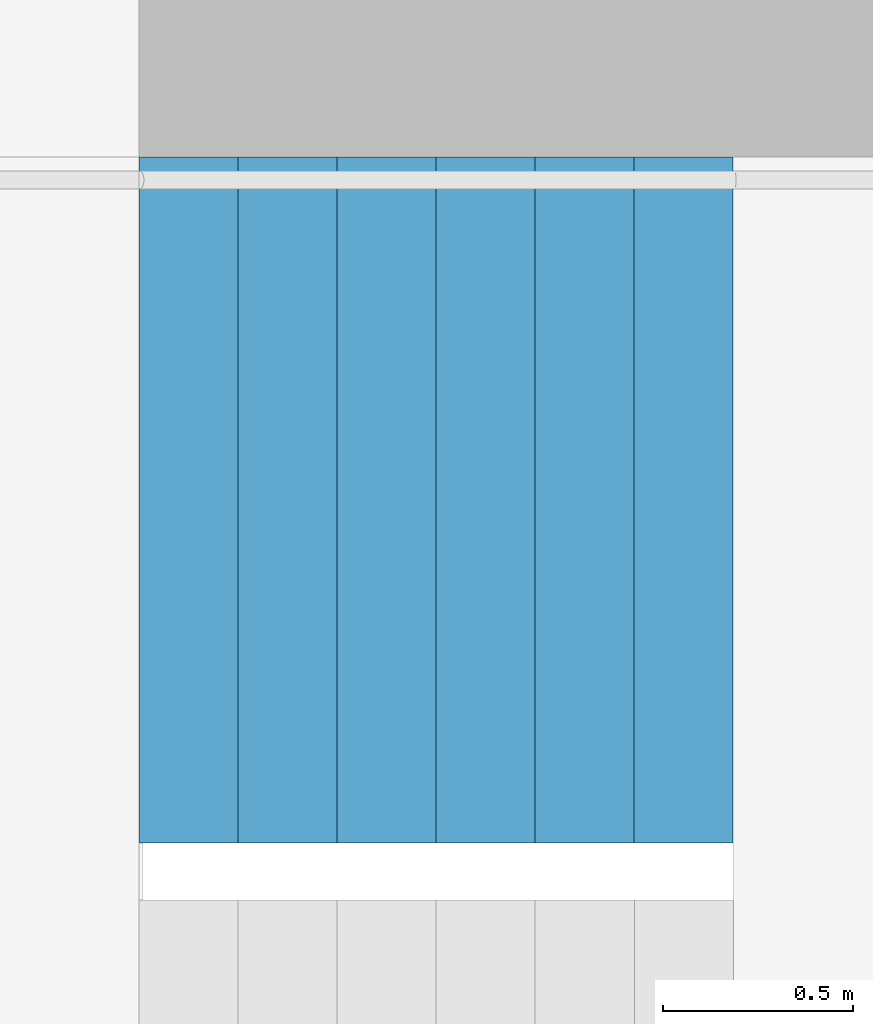
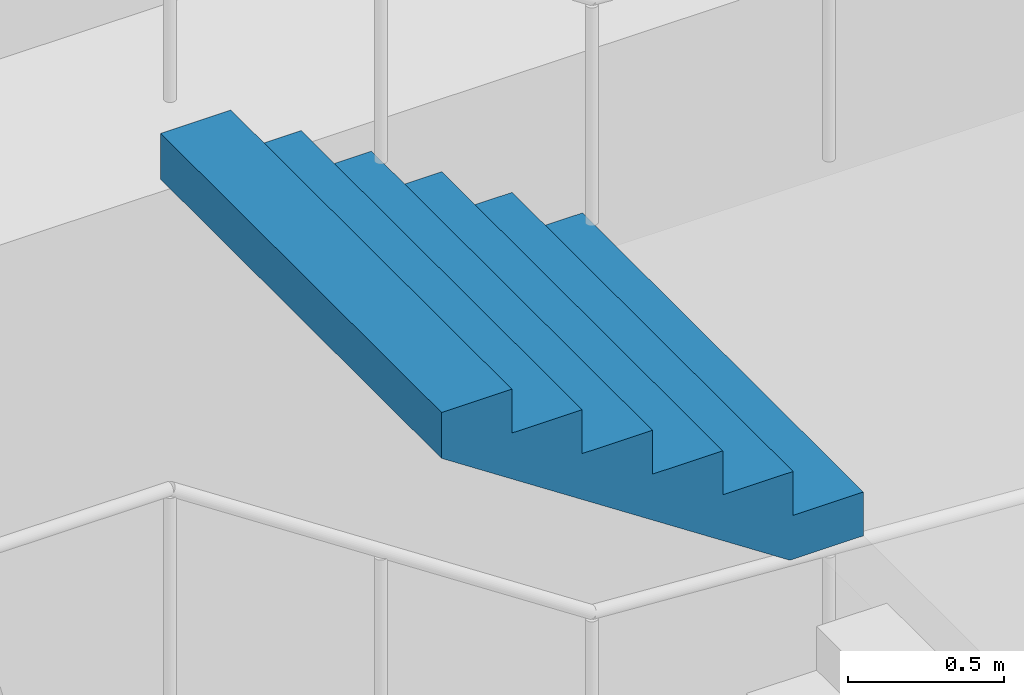
# One storey, part 34 of 53: 1 stair flight, 1 element without a shape of its own.
"""IFC4 building model written with IfcOpenShell, lengths in metres."""

from ifc_helpers import new_model, si_unit, direction, frame, origin, place, context, subcontext, project, spatial, triangles, material, type_object, element, aggregate, save


model = new_model("IFC4")

# Units and contexts
model_context = context("Model", 3, precision=1e-05, world=origin(), true_north=direction((0.0, 1.0)))
body_context = subcontext(model_context, "Body", "Model", "MODEL_VIEW")
ifc_project = project(units=[si_unit("LENGTHUNIT", "METRE"), si_unit("AREAUNIT", "SQUARE_METRE"), si_unit("VOLUMEUNIT", "CUBIC_METRE"), si_unit("PLANEANGLEUNIT", "RADIAN"), si_unit("MASSUNIT", "GRAM", prefix="KILO")], contexts=[model_context])

# Site, building, storey
site_placement = place(None, origin())
site = spatial("IfcSite", under=ifc_project, at=site_placement, CompositionType="ELEMENT")
building_placement = place(site_placement, origin())
building = spatial("IfcBuilding", under=site, at=building_placement, Name="Hakoniwa Tower and Hamabe Station Hall", CompositionType="ELEMENT")
storey_placement = place(building_placement, frame((0.0, 0.0, 15.0)))
storey = spatial("IfcBuildingStorey", under=building, at=storey_placement, Name="L03", CompositionType="ELEMENT", Elevation=15.0)

# Stair, stair flight
ifc_material_1 = material(Name="Concrete C40", Category="concrete")
stair_type = type_object("IfcStairType", Name="ESCAPE STAIR 1800", PredefinedType="HALF_TURN_STAIR", material=ifc_material_1)
stair_placement = place(storey_placement, origin())
stair = element("IfcStair", 1, at=stair_placement, inside=storey, type_object=stair_type, Name="Escape stair ST-1 L03", PredefinedType="HALF_TURN_STAIR")
ifc_material_2 = material(Name="Concrete C40", Category="concrete")
stair_flight_type = type_object("IfcStairFlightType", Name="STAIR FLIGHT 1800", PredefinedType="STRAIGHT", material=ifc_material_2)
stair_flight_placement = place(storey_placement, frame((-22.840087890625, 6.60009765625, 3.60009765625), z_axis=(0.0, 0.0, 1.0), x_axis=(-1.0, 0.0, 0.0)))
stair_flight = element("IfcStairFlight", 2, at=stair_flight_placement, type_object=stair_flight_type, Name="ST-1 flight 4", NumberOfRisers=7, NumberOfTreads=6, PredefinedType="STRAIGHT", RiserHeight=0.171428571, TreadLength=0.26, context=body_context, shape_type="Tessellation", body=[
    triangles([(0.0, 0.89990234375, 0.0), (0.260009765625, 0.89990234375, 0.0), (0.272216796875, 0.89990234375, 0.0), (0.52001953125, 0.89990234375, 0.163330078125), (0.780029296875, 0.89990234375, 0.334716796875), (1.0400390625, 0.89990234375, 0.506103515625), (1.300048828125, 0.89990234375, 0.677490234375), (1.56005859375, 0.89990234375, 0.84912109375), (1.56005859375, 0.89990234375, 1.028564453125), (1.300048828125, 0.89990234375, 1.028564453125), (1.300048828125, 0.89990234375, 0.857177734375), (1.0400390625, 0.89990234375, 0.857177734375), (1.0400390625, 0.89990234375, 0.685791015625), (0.780029296875, 0.89990234375, 0.685791015625), (0.780029296875, 0.89990234375, 0.514404296875), (0.52001953125, 0.89990234375, 0.514404296875), (0.52001953125, 0.89990234375, 0.3427734375), (0.272216796875, 0.89990234375, 0.3427734375), (0.260009765625, 0.89990234375, 0.3427734375), (0.260009765625, 0.89990234375, 0.17138671875), (0.0, 0.89990234375, 0.17138671875), (0.0, 0.06005859375, 0.0), (0.260009765625, 0.06005859375, 0.0), (0.272216796875, 0.06005859375, 0.0), (0.52001953125, 0.06005859375, 0.163330078125), (0.780029296875, 0.06005859375, 0.334716796875), (1.0400390625, 0.06005859375, 0.506103515625), (1.300048828125, 0.06005859375, 0.677490234375), (1.56005859375, 0.06005859375, 0.84912109375), (1.56005859375, 0.06005859375, 1.028564453125), (1.300048828125, 0.06005859375, 1.028564453125), (1.300048828125, 0.06005859375, 0.857177734375), (1.0400390625, 0.06005859375, 0.857177734375), (1.0400390625, 0.06005859375, 0.685791015625), (0.780029296875, 0.06005859375, 0.685791015625), (0.780029296875, 0.06005859375, 0.514404296875), (0.52001953125, 0.06005859375, 0.514404296875), (0.52001953125, 0.06005859375, 0.3427734375), (0.272216796875, 0.06005859375, 0.3427734375), (0.260009765625, 0.06005859375, 0.3427734375), (0.260009765625, 0.06005859375, 0.17138671875), (0.0, 0.06005859375, 0.17138671875), (0.0, 0.049072265625, 0.0), (0.260009765625, 0.049072265625, 0.0), (0.272216796875, 0.049072265625, 0.0), (0.52001953125, 0.049072265625, 0.163330078125), (0.780029296875, 0.049072265625, 0.334716796875), (1.0400390625, 0.049072265625, 0.506103515625), (1.300048828125, 0.049072265625, 0.677490234375), (1.56005859375, 0.049072265625, 0.84912109375), (1.56005859375, 0.049072265625, 1.028564453125), (1.300048828125, 0.049072265625, 1.028564453125), (1.300048828125, 0.049072265625, 0.857177734375), (1.0400390625, 0.049072265625, 0.857177734375), (1.0400390625, 0.049072265625, 0.685791015625), (0.780029296875, 0.049072265625, 0.685791015625), (0.780029296875, 0.049072265625, 0.514404296875), (0.52001953125, 0.049072265625, 0.514404296875), (0.52001953125, 0.049072265625, 0.3427734375), (0.272216796875, 0.049072265625, 0.3427734375), (0.260009765625, 0.049072265625, 0.3427734375), (0.260009765625, 0.049072265625, 0.17138671875), (0.0, 0.049072265625, 0.17138671875), (0.0, 0.0380859375, 0.0), (0.260009765625, 0.0380859375, 0.0), (0.272216796875, 0.0380859375, 0.0), (0.52001953125, 0.0380859375, 0.163330078125), (0.780029296875, 0.0380859375, 0.334716796875), (1.0400390625, 0.0380859375, 0.506103515625), (1.300048828125, 0.0380859375, 0.677490234375), (1.56005859375, 0.0380859375, 0.84912109375), (1.56005859375, 0.0380859375, 1.028564453125), (1.300048828125, 0.0380859375, 1.028564453125), (1.300048828125, 0.0380859375, 0.857177734375), (1.0400390625, 0.0380859375, 0.857177734375), (1.0400390625, 0.0380859375, 0.685791015625), (0.780029296875, 0.0380859375, 0.685791015625), (0.780029296875, 0.0380859375, 0.514404296875), (0.52001953125, 0.0380859375, 0.514404296875), (0.52001953125, 0.0380859375, 0.3427734375), (0.272216796875, 0.0380859375, 0.3427734375), (0.260009765625, 0.0380859375, 0.3427734375), (0.260009765625, 0.0380859375, 0.17138671875), (0.0, 0.0380859375, 0.17138671875), (0.0, 0.02734375, 0.0), (0.260009765625, 0.02734375, 0.0), (0.272216796875, 0.02734375, 0.0), (0.52001953125, 0.02734375, 0.163330078125), (0.780029296875, 0.02734375, 0.334716796875), (1.0400390625, 0.02734375, 0.506103515625), (1.300048828125, 0.02734375, 0.677490234375), (1.56005859375, 0.02734375, 0.84912109375), (1.56005859375, 0.02734375, 1.028564453125), (1.300048828125, 0.02734375, 1.028564453125), (1.300048828125, 0.02734375, 0.857177734375), (1.0400390625, 0.02734375, 0.857177734375), (1.0400390625, 0.02734375, 0.685791015625), (0.780029296875, 0.02734375, 0.685791015625), (0.780029296875, 0.02734375, 0.514404296875), (0.52001953125, 0.02734375, 0.514404296875), (0.52001953125, 0.02734375, 0.3427734375), (0.272216796875, 0.02734375, 0.3427734375), (0.260009765625, 0.02734375, 0.3427734375), (0.260009765625, 0.02734375, 0.17138671875), (0.0, 0.02734375, 0.17138671875), (0.0, 0.016357421875, 0.0), (0.260009765625, 0.016357421875, 0.0), (0.272216796875, 0.016357421875, 0.0), (0.52001953125, 0.016357421875, 0.163330078125), (0.780029296875, 0.016357421875, 0.334716796875), (1.0400390625, 0.016357421875, 0.506103515625), (1.300048828125, 0.016357421875, 0.677490234375), (1.56005859375, 0.016357421875, 0.84912109375), (1.56005859375, 0.016357421875, 1.028564453125), (1.300048828125, 0.016357421875, 1.028564453125), (1.300048828125, 0.016357421875, 0.857177734375), (1.0400390625, 0.016357421875, 0.857177734375), (1.0400390625, 0.016357421875, 0.685791015625), (0.780029296875, 0.016357421875, 0.685791015625), (0.780029296875, 0.016357421875, 0.514404296875), (0.52001953125, 0.016357421875, 0.514404296875), (0.52001953125, 0.016357421875, 0.3427734375), (0.272216796875, 0.016357421875, 0.3427734375), (0.260009765625, 0.016357421875, 0.3427734375), (0.260009765625, 0.016357421875, 0.17138671875), (0.0, 0.016357421875, 0.17138671875), (0.0, 0.00537109375, 0.0), (0.260009765625, 0.00537109375, 0.0), (0.272216796875, 0.00537109375, 0.0), (0.52001953125, 0.00537109375, 0.163330078125), (0.780029296875, 0.00537109375, 0.334716796875), (1.0400390625, 0.00537109375, 0.506103515625), (1.300048828125, 0.00537109375, 0.677490234375), (1.56005859375, 0.00537109375, 0.84912109375), (1.56005859375, 0.00537109375, 1.028564453125), (1.300048828125, 0.00537109375, 1.028564453125), (1.300048828125, 0.00537109375, 0.857177734375), (1.0400390625, 0.00537109375, 0.857177734375), (1.0400390625, 0.00537109375, 0.685791015625), (0.780029296875, 0.00537109375, 0.685791015625), (0.780029296875, 0.00537109375, 0.514404296875), (0.52001953125, 0.00537109375, 0.514404296875), (0.52001953125, 0.00537109375, 0.3427734375), (0.272216796875, 0.00537109375, 0.3427734375), (0.260009765625, 0.00537109375, 0.3427734375), (0.260009765625, 0.00537109375, 0.17138671875), (0.0, 0.00537109375, 0.17138671875), (0.0, -0.00537109375, 0.0), (0.260009765625, -0.00537109375, 0.0), (0.272216796875, -0.00537109375, 0.0), (0.52001953125, -0.00537109375, 0.163330078125), (0.780029296875, -0.00537109375, 0.334716796875), (1.0400390625, -0.00537109375, 0.506103515625), (1.300048828125, -0.00537109375, 0.677490234375), (1.56005859375, -0.00537109375, 0.84912109375), (1.56005859375, -0.00537109375, 1.028564453125), (1.300048828125, -0.00537109375, 1.028564453125), (1.300048828125, -0.00537109375, 0.857177734375), (1.0400390625, -0.00537109375, 0.857177734375), (1.0400390625, -0.00537109375, 0.685791015625), (0.780029296875, -0.00537109375, 0.685791015625), (0.780029296875, -0.00537109375, 0.514404296875), (0.52001953125, -0.00537109375, 0.514404296875), (0.52001953125, -0.00537109375, 0.3427734375), (0.272216796875, -0.00537109375, 0.3427734375), (0.260009765625, -0.00537109375, 0.3427734375), (0.260009765625, -0.00537109375, 0.17138671875), (0.0, -0.00537109375, 0.17138671875), (0.0, -0.016357421875, 0.0), (0.260009765625, -0.016357421875, 0.0), (0.272216796875, -0.016357421875, 0.0), (0.52001953125, -0.016357421875, 0.163330078125), (0.780029296875, -0.016357421875, 0.334716796875), (1.0400390625, -0.016357421875, 0.506103515625), (1.300048828125, -0.016357421875, 0.677490234375), (1.56005859375, -0.016357421875, 0.84912109375), (1.56005859375, -0.016357421875, 1.028564453125), (1.300048828125, -0.016357421875, 1.028564453125), (1.300048828125, -0.016357421875, 0.857177734375), (1.0400390625, -0.016357421875, 0.857177734375), (1.0400390625, -0.016357421875, 0.685791015625), (0.780029296875, -0.016357421875, 0.685791015625), (0.780029296875, -0.016357421875, 0.514404296875), (0.52001953125, -0.016357421875, 0.514404296875), (0.52001953125, -0.016357421875, 0.3427734375), (0.272216796875, -0.016357421875, 0.3427734375), (0.260009765625, -0.016357421875, 0.3427734375), (0.260009765625, -0.016357421875, 0.17138671875), (0.0, -0.016357421875, 0.17138671875), (0.0, -0.02734375, 0.0), (0.260009765625, -0.02734375, 0.0), (0.272216796875, -0.02734375, 0.0), (0.52001953125, -0.02734375, 0.163330078125), (0.780029296875, -0.02734375, 0.334716796875), (1.0400390625, -0.02734375, 0.506103515625), (1.300048828125, -0.02734375, 0.677490234375), (1.56005859375, -0.02734375, 0.84912109375), (1.56005859375, -0.02734375, 1.028564453125), (1.300048828125, -0.02734375, 1.028564453125), (1.300048828125, -0.02734375, 0.857177734375), (1.0400390625, -0.02734375, 0.857177734375), (1.0400390625, -0.02734375, 0.685791015625), (0.780029296875, -0.02734375, 0.685791015625), (0.780029296875, -0.02734375, 0.514404296875), (0.52001953125, -0.02734375, 0.514404296875), (0.52001953125, -0.02734375, 0.3427734375), (0.272216796875, -0.02734375, 0.3427734375), (0.260009765625, -0.02734375, 0.3427734375), (0.260009765625, -0.02734375, 0.17138671875), (0.0, -0.02734375, 0.17138671875), (0.0, -0.0380859375, 0.0), (0.260009765625, -0.0380859375, 0.0), (0.272216796875, -0.0380859375, 0.0), (0.52001953125, -0.0380859375, 0.163330078125), (0.780029296875, -0.0380859375, 0.334716796875), (1.0400390625, -0.0380859375, 0.506103515625), (1.300048828125, -0.0380859375, 0.677490234375), (1.56005859375, -0.0380859375, 0.84912109375), (1.56005859375, -0.0380859375, 1.028564453125), (1.300048828125, -0.0380859375, 1.028564453125), (1.300048828125, -0.0380859375, 0.857177734375), (1.0400390625, -0.0380859375, 0.857177734375), (1.0400390625, -0.0380859375, 0.685791015625), (0.780029296875, -0.0380859375, 0.685791015625), (0.780029296875, -0.0380859375, 0.514404296875), (0.52001953125, -0.0380859375, 0.514404296875), (0.52001953125, -0.0380859375, 0.3427734375), (0.272216796875, -0.0380859375, 0.3427734375), (0.260009765625, -0.0380859375, 0.3427734375), (0.260009765625, -0.0380859375, 0.17138671875), (0.0, -0.0380859375, 0.17138671875), (0.0, -0.049072265625, 0.0), (0.260009765625, -0.049072265625, 0.0), (0.272216796875, -0.049072265625, 0.0), (0.52001953125, -0.049072265625, 0.163330078125), (0.780029296875, -0.049072265625, 0.334716796875), (1.0400390625, -0.049072265625, 0.506103515625), (1.300048828125, -0.049072265625, 0.677490234375), (1.56005859375, -0.049072265625, 0.84912109375), (1.56005859375, -0.049072265625, 1.028564453125), (1.300048828125, -0.049072265625, 1.028564453125), (1.300048828125, -0.049072265625, 0.857177734375), (1.0400390625, -0.049072265625, 0.857177734375), (1.0400390625, -0.049072265625, 0.685791015625), (0.780029296875, -0.049072265625, 0.685791015625), (0.780029296875, -0.049072265625, 0.514404296875), (0.52001953125, -0.049072265625, 0.514404296875), (0.52001953125, -0.049072265625, 0.3427734375), (0.272216796875, -0.049072265625, 0.3427734375), (0.260009765625, -0.049072265625, 0.3427734375), (0.260009765625, -0.049072265625, 0.17138671875), (0.0, -0.049072265625, 0.17138671875), (0.0, -0.06005859375, 0.0), (0.260009765625, -0.06005859375, 0.0), (0.272216796875, -0.06005859375, 0.0), (0.52001953125, -0.06005859375, 0.163330078125), (0.780029296875, -0.06005859375, 0.334716796875), (1.0400390625, -0.06005859375, 0.506103515625), (1.300048828125, -0.06005859375, 0.677490234375), (1.56005859375, -0.06005859375, 0.84912109375), (1.56005859375, -0.06005859375, 1.028564453125), (1.300048828125, -0.06005859375, 1.028564453125), (1.300048828125, -0.06005859375, 0.857177734375), (1.0400390625, -0.06005859375, 0.857177734375), (1.0400390625, -0.06005859375, 0.685791015625), (0.780029296875, -0.06005859375, 0.685791015625), (0.780029296875, -0.06005859375, 0.514404296875), (0.52001953125, -0.06005859375, 0.514404296875), (0.52001953125, -0.06005859375, 0.3427734375), (0.272216796875, -0.06005859375, 0.3427734375), (0.260009765625, -0.06005859375, 0.3427734375), (0.260009765625, -0.06005859375, 0.17138671875), (0.0, -0.06005859375, 0.17138671875), (0.0, -0.89990234375, 0.0), (0.260009765625, -0.89990234375, 0.0), (0.272216796875, -0.89990234375, 0.0), (0.52001953125, -0.89990234375, 0.163330078125), (0.780029296875, -0.89990234375, 0.334716796875), (1.0400390625, -0.89990234375, 0.506103515625), (1.300048828125, -0.89990234375, 0.677490234375), (1.56005859375, -0.89990234375, 0.84912109375), (1.56005859375, -0.89990234375, 1.028564453125), (1.300048828125, -0.89990234375, 1.028564453125), (1.300048828125, -0.89990234375, 0.857177734375), (1.0400390625, -0.89990234375, 0.857177734375), (1.0400390625, -0.89990234375, 0.685791015625), (0.780029296875, -0.89990234375, 0.685791015625), (0.780029296875, -0.89990234375, 0.514404296875), (0.52001953125, -0.89990234375, 0.514404296875), (0.52001953125, -0.89990234375, 0.3427734375), (0.272216796875, -0.89990234375, 0.3427734375), (0.260009765625, -0.89990234375, 0.3427734375), (0.260009765625, -0.89990234375, 0.17138671875), (0.0, -0.89990234375, 0.17138671875)], [[2, 21, 20], [275, 293, 294], [2, 1, 21], [275, 294, 274], [3, 19, 18], [276, 291, 292], [3, 20, 19], [276, 292, 293], [3, 2, 20], [276, 293, 275], [4, 18, 17], [277, 290, 291], [4, 3, 18], [277, 291, 276], [5, 16, 15], [278, 288, 289], [5, 17, 16], [278, 289, 290], [5, 4, 17], [278, 290, 277], [6, 14, 13], [279, 286, 287], [6, 15, 14], [279, 287, 288], [6, 5, 15], [279, 288, 278], [7, 12, 11], [280, 284, 285], [7, 13, 12], [280, 285, 286], [7, 6, 13], [280, 286, 279], [8, 10, 9], [281, 282, 283], [8, 11, 10], [281, 283, 284], [8, 7, 11], [281, 284, 280], [1, 2, 23], [1, 23, 22], [22, 23, 44], [22, 44, 43], [43, 44, 65], [43, 65, 64], [64, 65, 86], [64, 86, 85], [85, 86, 107], [85, 107, 106], [106, 107, 128], [106, 128, 127], [127, 128, 149], [127, 149, 148], [148, 149, 170], [148, 170, 169], [169, 170, 191], [169, 191, 190], [190, 191, 212], [190, 212, 211], [211, 212, 233], [211, 233, 232], [232, 233, 254], [232, 254, 253], [253, 254, 275], [253, 275, 274], [2, 3, 24], [2, 24, 23], [23, 24, 45], [23, 45, 44], [44, 45, 66], [44, 66, 65], [65, 66, 87], [65, 87, 86], [86, 87, 108], [86, 108, 107], [107, 108, 129], [107, 129, 128], [128, 129, 150], [128, 150, 149], [149, 150, 171], [149, 171, 170], [170, 171, 192], [170, 192, 191], [191, 192, 213], [191, 213, 212], [212, 213, 234], [212, 234, 233], [233, 234, 255], [233, 255, 254], [254, 255, 276], [254, 276, 275], [3, 4, 25], [3, 25, 24], [24, 25, 46], [24, 46, 45], [45, 46, 67], [45, 67, 66], [66, 67, 88], [66, 88, 87], [87, 88, 109], [87, 109, 108], [108, 109, 130], [108, 130, 129], [129, 130, 151], [129, 151, 150], [150, 151, 172], [150, 172, 171], [171, 172, 193], [171, 193, 192], [192, 193, 214], [192, 214, 213], [213, 214, 235], [213, 235, 234], [234, 235, 256], [234, 256, 255], [255, 256, 277], [255, 277, 276], [4, 5, 26], [4, 26, 25], [25, 26, 47], [25, 47, 46], [46, 47, 68], [46, 68, 67], [67, 68, 89], [67, 89, 88], [88, 89, 110], [88, 110, 109], [109, 110, 131], [109, 131, 130], [130, 131, 152], [130, 152, 151], [151, 152, 173], [151, 173, 172], [172, 173, 194], [172, 194, 193], [193, 194, 215], [193, 215, 214], [214, 215, 236], [214, 236, 235], [235, 236, 257], [235, 257, 256], [256, 257, 278], [256, 278, 277], [5, 6, 27], [5, 27, 26], [26, 27, 48], [26, 48, 47], [47, 48, 69], [47, 69, 68], [68, 69, 90], [68, 90, 89], [89, 90, 111], [89, 111, 110], [110, 111, 132], [110, 132, 131], [131, 132, 153], [131, 153, 152], [152, 153, 174], [152, 174, 173], [173, 174, 195], [173, 195, 194], [194, 195, 216], [194, 216, 215], [215, 216, 237], [215, 237, 236], [236, 237, 258], [236, 258, 257], [257, 258, 279], [257, 279, 278], [6, 7, 28], [6, 28, 27], [27, 28, 49], [27, 49, 48], [48, 49, 70], [48, 70, 69], [69, 70, 91], [69, 91, 90], [90, 91, 112], [90, 112, 111], [111, 112, 133], [111, 133, 132], [132, 133, 154], [132, 154, 153], [153, 154, 175], [153, 175, 174], [174, 175, 196], [174, 196, 195], [195, 196, 217], [195, 217, 216], [216, 217, 238], [216, 238, 237], [237, 238, 259], [237, 259, 258], [258, 259, 280], [258, 280, 279], [7, 8, 29], [7, 29, 28], [28, 29, 50], [28, 50, 49], [49, 50, 71], [49, 71, 70], [70, 71, 92], [70, 92, 91], [91, 92, 113], [91, 113, 112], [112, 113, 134], [112, 134, 133], [133, 134, 155], [133, 155, 154], [154, 155, 176], [154, 176, 175], [175, 176, 197], [175, 197, 196], [196, 197, 218], [196, 218, 217], [217, 218, 239], [217, 239, 238], [238, 239, 260], [238, 260, 259], [259, 260, 281], [259, 281, 280], [8, 9, 30], [8, 30, 29], [29, 30, 51], [29, 51, 50], [50, 51, 72], [50, 72, 71], [71, 72, 93], [71, 93, 92], [92, 93, 114], [92, 114, 113], [113, 114, 135], [113, 135, 134], [134, 135, 156], [134, 156, 155], [155, 156, 177], [155, 177, 176], [176, 177, 198], [176, 198, 197], [197, 198, 219], [197, 219, 218], [218, 219, 240], [218, 240, 239], [239, 240, 261], [239, 261, 260], [260, 261, 282], [260, 282, 281], [9, 10, 31], [9, 31, 30], [30, 31, 52], [30, 52, 51], [51, 52, 73], [51, 73, 72], [72, 73, 94], [72, 94, 93], [93, 94, 115], [93, 115, 114], [114, 115, 136], [114, 136, 135], [135, 136, 157], [135, 157, 156], [156, 157, 178], [156, 178, 177], [177, 178, 199], [177, 199, 198], [198, 199, 220], [198, 220, 219], [219, 220, 241], [219, 241, 240], [240, 241, 262], [240, 262, 261], [261, 262, 283], [261, 283, 282], [10, 11, 32], [10, 32, 31], [31, 32, 53], [31, 53, 52], [52, 53, 74], [52, 74, 73], [73, 74, 95], [73, 95, 94], [94, 95, 116], [94, 116, 115], [115, 116, 137], [115, 137, 136], [136, 137, 158], [136, 158, 157], [157, 158, 179], [157, 179, 178], [178, 179, 200], [178, 200, 199], [199, 200, 221], [199, 221, 220], [220, 221, 242], [220, 242, 241], [241, 242, 263], [241, 263, 262], [262, 263, 284], [262, 284, 283], [11, 12, 33], [11, 33, 32], [32, 33, 54], [32, 54, 53], [53, 54, 75], [53, 75, 74], [74, 75, 96], [74, 96, 95], [95, 96, 117], [95, 117, 116], [116, 117, 138], [116, 138, 137], [137, 138, 159], [137, 159, 158], [158, 159, 180], [158, 180, 179], [179, 180, 201], [179, 201, 200], [200, 201, 222], [200, 222, 221], [221, 222, 243], [221, 243, 242], [242, 243, 264], [242, 264, 263], [263, 264, 285], [263, 285, 284], [12, 13, 34], [12, 34, 33], [33, 34, 55], [33, 55, 54], [54, 55, 76], [54, 76, 75], [75, 76, 97], [75, 97, 96], [96, 97, 118], [96, 118, 117], [117, 118, 139], [117, 139, 138], [138, 139, 160], [138, 160, 159], [159, 160, 181], [159, 181, 180], [180, 181, 202], [180, 202, 201], [201, 202, 223], [201, 223, 222], [222, 223, 244], [222, 244, 243], [243, 244, 265], [243, 265, 264], [264, 265, 286], [264, 286, 285], [13, 14, 35], [13, 35, 34], [34, 35, 56], [34, 56, 55], [55, 56, 77], [55, 77, 76], [76, 77, 98], [76, 98, 97], [97, 98, 119], [97, 119, 118], [118, 119, 140], [118, 140, 139], [139, 140, 161], [139, 161, 160], [160, 161, 182], [160, 182, 181], [181, 182, 203], [181, 203, 202], [202, 203, 224], [202, 224, 223], [223, 224, 245], [223, 245, 244], [244, 245, 266], [244, 266, 265], [265, 266, 287], [265, 287, 286], [14, 15, 36], [14, 36, 35], [35, 36, 57], [35, 57, 56], [56, 57, 78], [56, 78, 77], [77, 78, 99], [77, 99, 98], [98, 99, 120], [98, 120, 119], [119, 120, 141], [119, 141, 140], [140, 141, 162], [140, 162, 161], [161, 162, 183], [161, 183, 182], [182, 183, 204], [182, 204, 203], [203, 204, 225], [203, 225, 224], [224, 225, 246], [224, 246, 245], [245, 246, 267], [245, 267, 266], [266, 267, 288], [266, 288, 287], [15, 16, 37], [15, 37, 36], [36, 37, 58], [36, 58, 57], [57, 58, 79], [57, 79, 78], [78, 79, 100], [78, 100, 99], [99, 100, 121], [99, 121, 120], [120, 121, 142], [120, 142, 141], [141, 142, 163], [141, 163, 162], [162, 163, 184], [162, 184, 183], [183, 184, 205], [183, 205, 204], [204, 205, 226], [204, 226, 225], [225, 226, 247], [225, 247, 246], [246, 247, 268], [246, 268, 267], [267, 268, 289], [267, 289, 288], [16, 17, 38], [16, 38, 37], [37, 38, 59], [37, 59, 58], [58, 59, 80], [58, 80, 79], [79, 80, 101], [79, 101, 100], [100, 101, 122], [100, 122, 121], [121, 122, 143], [121, 143, 142], [142, 143, 164], [142, 164, 163], [163, 164, 185], [163, 185, 184], [184, 185, 206], [184, 206, 205], [205, 206, 227], [205, 227, 226], [226, 227, 248], [226, 248, 247], [247, 248, 269], [247, 269, 268], [268, 269, 290], [268, 290, 289], [17, 18, 39], [17, 39, 38], [38, 39, 60], [38, 60, 59], [59, 60, 81], [59, 81, 80], [80, 81, 102], [80, 102, 101], [101, 102, 123], [101, 123, 122], [122, 123, 144], [122, 144, 143], [143, 144, 165], [143, 165, 164], [164, 165, 186], [164, 186, 185], [185, 186, 207], [185, 207, 206], [206, 207, 228], [206, 228, 227], [227, 228, 249], [227, 249, 248], [248, 249, 270], [248, 270, 269], [269, 270, 291], [269, 291, 290], [18, 19, 40], [18, 40, 39], [39, 40, 61], [39, 61, 60], [60, 61, 82], [60, 82, 81], [81, 82, 103], [81, 103, 102], [102, 103, 124], [102, 124, 123], [123, 124, 145], [123, 145, 144], [144, 145, 166], [144, 166, 165], [165, 166, 187], [165, 187, 186], [186, 187, 208], [186, 208, 207], [207, 208, 229], [207, 229, 228], [228, 229, 250], [228, 250, 249], [249, 250, 271], [249, 271, 270], [270, 271, 292], [270, 292, 291], [19, 20, 41], [19, 41, 40], [40, 41, 62], [40, 62, 61], [61, 62, 83], [61, 83, 82], [82, 83, 104], [82, 104, 103], [103, 104, 125], [103, 125, 124], [124, 125, 146], [124, 146, 145], [145, 146, 167], [145, 167, 166], [166, 167, 188], [166, 188, 187], [187, 188, 209], [187, 209, 208], [208, 209, 230], [208, 230, 229], [229, 230, 251], [229, 251, 250], [250, 251, 272], [250, 272, 271], [271, 272, 293], [271, 293, 292], [20, 21, 42], [20, 42, 41], [41, 42, 63], [41, 63, 62], [62, 63, 84], [62, 84, 83], [83, 84, 105], [83, 105, 104], [104, 105, 126], [104, 126, 125], [125, 126, 147], [125, 147, 146], [146, 147, 168], [146, 168, 167], [167, 168, 189], [167, 189, 188], [188, 189, 210], [188, 210, 209], [209, 210, 231], [209, 231, 230], [230, 231, 252], [230, 252, 251], [251, 252, 273], [251, 273, 272], [272, 273, 294], [272, 294, 293], [21, 1, 22], [21, 22, 42], [42, 22, 43], [42, 43, 63], [63, 43, 64], [63, 64, 84], [84, 64, 85], [84, 85, 105], [105, 85, 106], [105, 106, 126], [126, 106, 127], [126, 127, 147], [147, 127, 148], [147, 148, 168], [168, 148, 169], [168, 169, 189], [189, 169, 190], [189, 190, 210], [210, 190, 211], [210, 211, 231], [231, 211, 232], [231, 232, 252], [252, 232, 253], [252, 253, 273], [273, 253, 274], [273, 274, 294]], closed=True),
])
aggregate(stair, [stair_flight])

save(model, "model.ifc")
